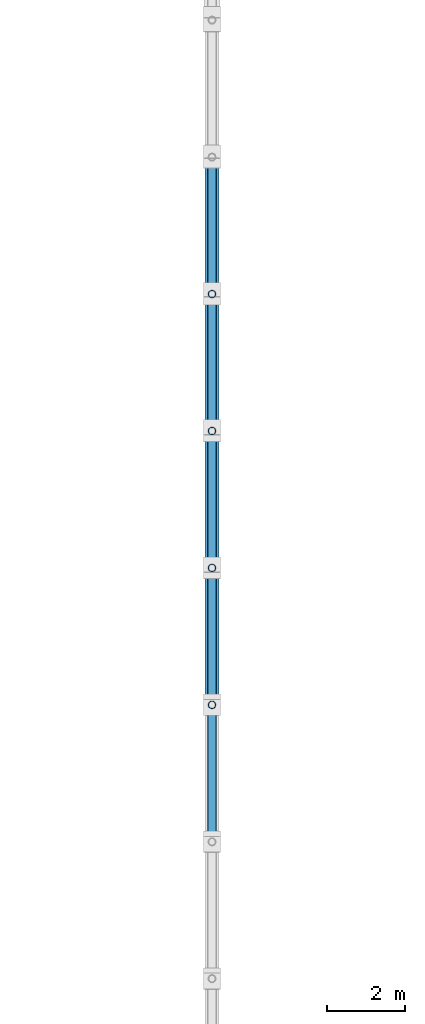
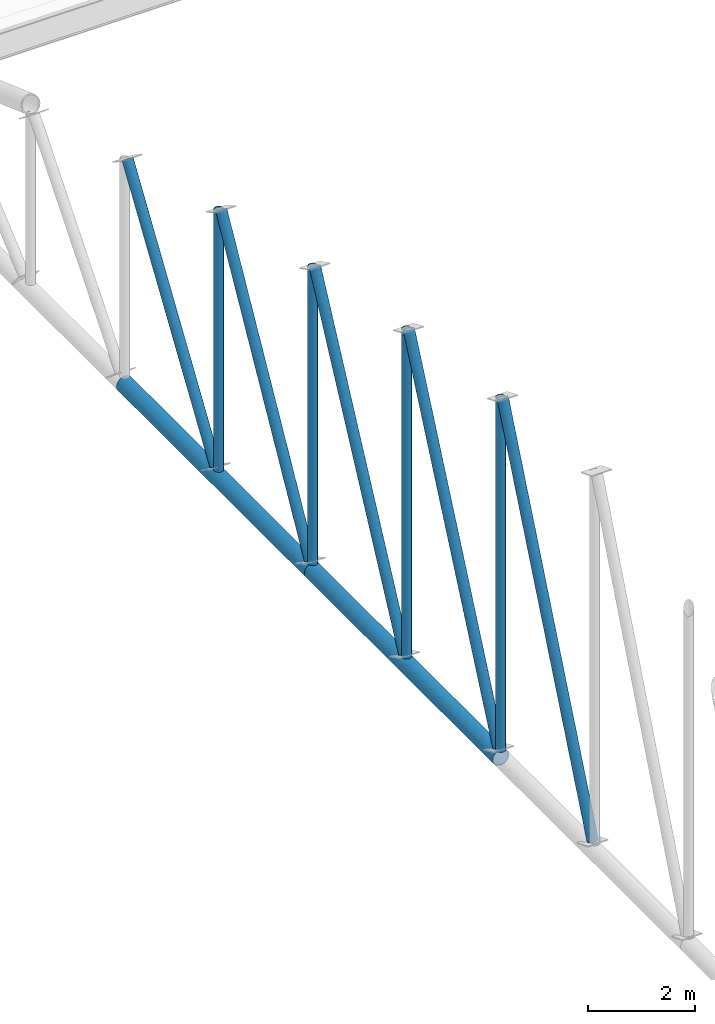
# One storey, part 66 of 196: 11 members.
"""IFC4 building model written with IfcOpenShell, lengths in metres."""

import ifcopenshell
import ifcopenshell.guid

model = None  # the IFC model being written
_history = None  # IfcOwnerHistory: only IFC2X3 demands one
_inside = {}  # id of a spatial element -> (the spatial element, [elements in it])
_under = {}  # id of a project, library or spatial element -> (it, [spatial elements below it])
_declared = {}  # id of a project -> (the project, [libraries it declares])
_typed = {}  # id of a type object -> (the type object, [elements of that type])
_made_of = {}  # id of a material, layer set ... -> (it, [elements and type objects made of it])


def new_model(schema):
    """Start an empty IFC model of exactly this schema.

    Asked for "IFC4X3", IfcOpenShell would pick the latest addendum, in which some entities
    have other attributes; the version numbers below select the first issue.
    IFC2X3 requires an IfcOwnerHistory on every rooted entity: one is made here for all.
    """
    global model, _history
    if schema == "IFC4X3":
        model = ifcopenshell.file(schema_version=(4, 3, 0, 0))
    else:
        model = ifcopenshell.file(schema=schema)
    _inside.clear()
    _under.clear()
    _declared.clear()
    _typed.clear()
    _made_of.clear()
    _history = None
    if model.schema == "IFC2X3":
        org = make("IfcOrganization", Name="unknown")
        user = make(
            "IfcPersonAndOrganization",
            ThePerson=make("IfcPerson", FamilyName="unknown"),
            TheOrganization=org,
        )
        app = make(
            "IfcApplication",
            ApplicationDeveloper=org,
            Version="unknown",
            ApplicationFullName="unknown",
            ApplicationIdentifier="unknown",
        )
        _history = make(
            "IfcOwnerHistory",
            OwningUser=user,
            OwningApplication=app,
            ChangeAction="ADDED",
            CreationDate=0,
        )
    return model


def make(cls, **values):
    """One entity of the class cls with the attributes given. An attribute that is None is left unset."""
    return model.create_entity(
        cls, **{name: value for name, value in values.items() if value is not None}
    )


def rooted(cls, **values):
    """An entity with a GlobalId (a new one), such as an element, a storey or a relation."""
    return make(cls, GlobalId=ifcopenshell.guid.new(), OwnerHistory=_history, **values)


def si_unit(unit_type, name, prefix=None):
    """IfcSIUnit, for example si_unit("LENGTHUNIT", "METRE", prefix="MILLI")."""
    return make("IfcSIUnit", UnitType=unit_type, Prefix=prefix, Name=name)


def assignment(units):
    """IfcUnitAssignment: the units of a project."""
    return None if units is None else make("IfcUnitAssignment", Units=units)


def point(xyz):
    """IfcCartesianPoint."""
    return None if xyz is None else make("IfcCartesianPoint", Coordinates=xyz)


def direction(xyz):
    """IfcDirection."""
    return None if xyz is None else make("IfcDirection", DirectionRatios=xyz)


def frame(location, z_axis=None, x_axis=None):
    """IfcAxis2Placement3D, a coordinate frame: its origin and axes. An axis left out is left unset."""
    return make(
        "IfcAxis2Placement3D",
        Location=point(location),
        Axis=direction(z_axis),
        RefDirection=direction(x_axis),
    )


def frame_2d(location, x_axis=None):
    """IfcAxis2Placement2D, a coordinate frame in the plane: its origin and x axis."""
    return make(
        "IfcAxis2Placement2D", Location=point(location), RefDirection=direction(x_axis)
    )


def origin():
    """The frame at (0, 0, 0) with its axes left unset."""
    return frame((0.0, 0.0, 0.0))


def origin_2d():
    """The frame at (0, 0) in the plane with its x axis left unset."""
    return frame_2d((0.0, 0.0))


def place(relative_to, where):
    """IfcLocalPlacement: puts the frame where relative to a parent placement (None: the world)."""
    return make(
        "IfcLocalPlacement", PlacementRelTo=relative_to, RelativePlacement=where
    )


def context(
    kind, dimensions, precision=None, world=None, true_north=None, identifier=None
):
    """IfcGeometricRepresentationContext, for example the 3D "Model" context."""
    return make(
        "IfcGeometricRepresentationContext",
        ContextIdentifier=identifier,
        ContextType=kind,
        CoordinateSpaceDimension=dimensions,
        Precision=precision,
        WorldCoordinateSystem=world,
        TrueNorth=true_north,
    )


def subcontext(parent, identifier, kind, view, scale=None):
    """IfcGeometricRepresentationSubContext, for example "Body" below "Model"."""
    return make(
        "IfcGeometricRepresentationSubContext",
        ContextIdentifier=identifier,
        ContextType=kind,
        ParentContext=parent,
        TargetScale=scale,
        TargetView=view,
    )


def project(units=None, contexts=None):
    """IfcProject with its units and contexts."""
    return rooted(
        "IfcProject",
        Name="project",
        RepresentationContexts=contexts,
        UnitsInContext=assignment(units),
    )


def spatial(cls, under=None, at=None, **own):
    """A site, building, storey or space (cls), placed at a placement, below another one or the project."""
    s = rooted(cls, ObjectPlacement=at, **own)
    if under is not None:
        _under.setdefault(under.id(), (under, []))[1].append(s)
    return s


def profile(cls, at=None, kind="AREA", **sizes):
    """A parametric profile (cls). Its sizes go by their IFC names, for example OverallWidth=200.0."""
    return make(cls, ProfileType=kind, Position=at, **sizes)


def hollow_circle(**sizes):
    """IfcCircleHollowProfileDef."""
    return profile("IfcCircleHollowProfileDef", **sizes)


def extrude(swept, where, along, depth):
    """IfcExtrudedAreaSolid: the profile swept, set in the frame where, extruded along a direction by depth."""
    return make(
        "IfcExtrudedAreaSolid",
        SweptArea=swept,
        Position=where,
        ExtrudedDirection=direction(along),
        Depth=depth,
    )


def shape(context_of_items, identifier, shape_type, items):
    """IfcShapeRepresentation: the items that make up one representation, for example the "Body"."""
    return make(
        "IfcShapeRepresentation",
        ContextOfItems=context_of_items,
        RepresentationIdentifier=identifier,
        RepresentationType=shape_type,
        Items=items,
    )


def material(Name=None, Category=None):
    """IfcMaterial."""
    return make("IfcMaterial", Name=Name, Category=Category)


def material_profile(
    of_material, cross_section, Name=None, Category=None, Priority=None
):
    """IfcMaterialProfile: a cross section and its material."""
    return make(
        "IfcMaterialProfile",
        Name=Name,
        Material=of_material,
        Profile=cross_section,
        Priority=Priority,
        Category=Category,
    )


def profile_set(profiles, Name=None, composite=None):
    """IfcMaterialProfileSet."""
    return make(
        "IfcMaterialProfileSet",
        Name=Name,
        MaterialProfiles=profiles,
        CompositeProfile=composite,
    )


def made_of(thing, what):
    """Note that an element or type object is made of a material, layer set ...; save() writes the relation."""
    if what is not None:
        _made_of.setdefault(what.id(), (what, []))[1].append(thing)
    return thing


def type_object(cls, material=None, **own):
    """A type object (cls), such as IfcWallType, which elements share."""
    return made_of(rooted(cls, **own), material)


def element(
    cls,
    number,
    at=None,
    inside=None,
    cuts=None,
    type_object=None,
    material=None,
    context=None,
    identifier="Body",
    shape_type=None,
    held_by="IfcProductDefinitionShape",
    body=None,
    shapes=None,
    **own,
):
    """One element of the class cls, such as IfcWall. Its Tag is "e" and its number.

    at: its placement. inside: the storey or other place that contains it. cuts: it is an
    opening in that element (IfcRelVoidsElement). A single representation is given by context,
    identifier, shape_type and body (its items); several are given by shapes. held_by: the class
    of the entity that holds the representations. save() writes the other relations.
    """
    e = rooted(cls, Tag="e%d" % number, ObjectPlacement=at, **own)
    if body is not None:
        shapes = [shape(context, identifier, shape_type, body)]
    if shapes is not None:
        e.Representation = make(held_by, Representations=shapes)
    if inside is not None:
        _inside.setdefault(inside.id(), (inside, []))[1].append(e)
    if cuts is not None:
        rooted(
            "IfcRelVoidsElement", RelatingBuildingElement=cuts, RelatedOpeningElement=e
        )
    if type_object is not None:
        _typed.setdefault(type_object.id(), (type_object, []))[1].append(e)
    return made_of(e, material)


def aggregate(whole, parts):
    """IfcRelAggregates: a whole, such as a stair, and the parts it consists of."""
    return rooted("IfcRelAggregates", RelatingObject=whole, RelatedObjects=parts)


def save(model, path):
    """Write the relations noted so far, then the file.

    IfcRelAggregates (storeys below a building ...), IfcRelContainedInSpatialStructure (elements
    in a storey), IfcRelDefinesByType, IfcRelAssociatesMaterial and IfcRelDeclares: one each for
    every whole, place, type object, material and project.
    """
    for whole, parts in _under.values():
        aggregate(whole, parts)
    for where, things in _inside.values():
        rooted(
            "IfcRelContainedInSpatialStructure",
            RelatedElements=things,
            RelatingStructure=where,
        )
    for kind, things in _typed.values():
        rooted("IfcRelDefinesByType", RelatedObjects=things, RelatingType=kind)
    for what, things in _made_of.values():
        rooted("IfcRelAssociatesMaterial", RelatedObjects=things, RelatingMaterial=what)
    for by, libraries in _declared.values():
        rooted("IfcRelDeclares", RelatingContext=by, RelatedDefinitions=libraries)
    model.write(path)


model = new_model("IFC4")

# Units and contexts
model_context = context("Model", 3, precision=1e-05, world=origin(), true_north=direction((0.0, 1.0)))
body_context = subcontext(model_context, "Body", "Model", "MODEL_VIEW")
ifc_project = project(units=[si_unit("LENGTHUNIT", "METRE"), si_unit("AREAUNIT", "SQUARE_METRE"), si_unit("VOLUMEUNIT", "CUBIC_METRE"), si_unit("PLANEANGLEUNIT", "RADIAN"), si_unit("MASSUNIT", "GRAM", prefix="KILO")], contexts=[model_context])

# Site, building, storey
site_placement = place(None, origin())
site = spatial("IfcSite", under=ifc_project, at=site_placement, CompositionType="ELEMENT")
building_placement = place(site_placement, origin())
building = spatial("IfcBuilding", under=site, at=building_placement, Name="Okhra Congress Centre", CompositionType="ELEMENT")
storey_placement = place(building_placement, frame((0.0, 0.0, 12.0)))
storey = spatial("IfcBuildingStorey", under=building, at=storey_placement, Name="L02", CompositionType="ELEMENT", Elevation=12.0)

# Members
ifc_material = material(Name="Steel S355J2H", Category="steel")
ifc_material_profile_1 = material_profile(ifc_material, hollow_circle(Radius=0.096923828125, WallThickness=0.008056640625, at=origin_2d()), Name="CHS 193.7x8.0")
ifc_profile_set_1 = profile_set([ifc_material_profile_1], Name="Steel S355J2H")
member_type_1 = type_object("IfcMemberType", Name="CHS 193.7x8.0", PredefinedType="POST", material=ifc_profile_set_1)
member_1_placement = place(storey_placement, frame((64.0, 188.0, 1.577880859375), z_axis=(0.0, 0.0, 1.0), x_axis=(1.0, 0.0, 0.0)))
element("IfcMember", 1, at=member_1_placement, inside=storey, type_object=member_type_1, Name="EH.MEM.L02.T3-VER-16", PredefinedType="POST", context=body_context, shape_type="SweptSolid", body=[
    extrude(hollow_circle(Radius=0.096923828125, WallThickness=0.008056640625, at=origin_2d()), origin(), (0.0, 0.0, 1.0), 8.01708984375),
])
member_2_placement = place(storey_placement, frame((64.0, 191.5, 1.577880859375), z_axis=(0.0, 0.0, 1.0), x_axis=(1.0, 0.0, 0.0)))
element("IfcMember", 2, at=member_2_placement, inside=storey, type_object=member_type_1, Name="EH.MEM.L02.T3-VER-17", PredefinedType="POST", context=body_context, shape_type="SweptSolid", body=[
    extrude(hollow_circle(Radius=0.096923828125, WallThickness=0.008056640625, at=origin_2d()), origin(), (0.0, 0.0, 1.0), 7.448974609375),
])
member_3_placement = place(storey_placement, frame((64.0, 195.0, 1.577880859375), z_axis=(0.0, 0.0, 1.0), x_axis=(1.0, 0.0, 0.0)))
element("IfcMember", 3, at=member_3_placement, inside=storey, type_object=member_type_1, Name="EH.MEM.L02.T3-VER-18", PredefinedType="POST", context=body_context, shape_type="SweptSolid", body=[
    extrude(hollow_circle(Radius=0.096923828125, WallThickness=0.008056640625, at=origin_2d()), origin(), (0.0, 0.0, 1.0), 6.750244140625),
])
member_4_placement = place(storey_placement, frame((64.0, 198.5, 1.577880859375), z_axis=(0.0, 0.0, 1.0), x_axis=(1.0, 0.0, 0.0)))
element("IfcMember", 4, at=member_4_placement, inside=storey, type_object=member_type_1, Name="EH.MEM.L02.T3-VER-19", PredefinedType="POST", context=body_context, shape_type="SweptSolid", body=[
    extrude(hollow_circle(Radius=0.096923828125, WallThickness=0.008056640625, at=origin_2d()), origin(), (0.0, 0.0, 1.0), 5.917724609375),
])
ifc_material_profile_2 = material_profile(ifc_material, hollow_circle(Radius=0.109619140625, WallThickness=0.010009765625, at=origin_2d()), Name="CHS 219.1x10.0")
ifc_profile_set_2 = profile_set([ifc_material_profile_2], Name="Steel S355J2H")
member_type_2 = type_object("IfcMemberType", Name="CHS 219.1x10.0", PredefinedType="BRACE", material=ifc_profile_set_2)
member_5_placement = place(storey_placement, frame((64.0, 187.926513671875, 9.6240234375), z_axis=(0.0, -0.384613395842, -0.92307775173), x_axis=(1.0, 0.0, 0.0)))
element("IfcMember", 5, at=member_5_placement, inside=storey, type_object=member_type_2, Name="EH.MEM.L02.T3-DIA-15", PredefinedType="BRACE", context=body_context, shape_type="SweptSolid", body=[
    extrude(hollow_circle(Radius=0.109619140625, WallThickness=0.010009765625, at=origin_2d()), origin(), (0.0, 0.0, 1.0), 8.716552734375),
])
member_6_placement = place(storey_placement, frame((64.0, 191.42236328125, 9.0595703125), z_axis=(0.0, -0.407953800593, -0.913002572057), x_axis=(1.0, 0.0, 0.0)))
element("IfcMember", 6, at=member_6_placement, inside=storey, type_object=member_type_2, Name="EH.MEM.L02.T3-DIA-16", PredefinedType="BRACE", context=body_context, shape_type="SweptSolid", body=[
    extrude(hollow_circle(Radius=0.109619140625, WallThickness=0.010009765625, at=origin_2d()), origin(), (0.0, 0.0, 1.0), 8.194580078125),
])
member_7_placement = place(storey_placement, frame((64.0, 194.916259765625, 8.365234375), z_axis=(0.0, -0.440367038805, -0.897817838503), x_axis=(1.0, 0.0, 0.0)))
element("IfcMember", 7, at=member_7_placement, inside=storey, type_object=member_type_2, Name="EH.MEM.L02.T3-DIA-17", PredefinedType="BRACE", context=body_context, shape_type="SweptSolid", body=[
    extrude(hollow_circle(Radius=0.109619140625, WallThickness=0.010009765625, at=origin_2d()), origin(), (0.0, 0.0, 1.0), 7.559814453125),
])
member_8_placement = place(storey_placement, frame((64.0, 198.4072265625, 7.538330078125), z_axis=(0.0, -0.485332749729, -0.874329527147), x_axis=(1.0, 0.0, 0.0)))
element("IfcMember", 8, at=member_8_placement, inside=storey, type_object=member_type_2, Name="EH.MEM.L02.T3-DIA-18", PredefinedType="BRACE", context=body_context, shape_type="SweptSolid", body=[
    extrude(hollow_circle(Radius=0.109619140625, WallThickness=0.010009765625, at=origin_2d()), origin(), (0.0, 0.0, 1.0), 6.817138671875),
])
ifc_material_profile_3 = material_profile(ifc_material, hollow_circle(Radius=0.109619140625, WallThickness=0.012451171875, at=origin_2d()), Name="CHS 219.1x12.5")
ifc_profile_set_3 = profile_set([ifc_material_profile_3], Name="Steel S355J2H")
member_type_3 = type_object("IfcMemberType", Name="CHS 219.1x12.5", PredefinedType="BRACE", material=ifc_profile_set_3)
member_9_placement = place(storey_placement, frame((64.0, 201.89404296875, 6.576416015625), z_axis=(0.0, -0.548312008951, -0.836273843211), x_axis=(1.0, 0.0, 0.0)))
element("IfcMember", 9, at=member_9_placement, inside=storey, type_object=member_type_3, Name="EH.MEM.L02.T3-DIA-19", PredefinedType="BRACE", context=body_context, shape_type="SweptSolid", body=[
    extrude(hollow_circle(Radius=0.109619140625, WallThickness=0.012451171875, at=origin_2d()), origin(), (0.0, 0.0, 1.0), 5.97705078125),
])
ifc_material_profile_4 = material_profile(ifc_material, hollow_circle(Radius=0.177734375, WallThickness=0.01611328125, at=origin_2d()), Name="CHS 355.6x16.0")
ifc_profile_set_4 = profile_set([ifc_material_profile_4], Name="Steel S355J2H")
member_type_4 = type_object("IfcMemberType", Name="CHS 355.6x16.0", PredefinedType="CHORD", material=ifc_profile_set_4)
for number, where, z_axis, x_axis, name in (
    (10, (64.0, 188.0, 1.39990234375), (0.0, 1.0, 0.0), (-1.0, 0.0, 0.0), "EH.MEM.L02.T3-BOT-09"),
    (11, (64.0, 195.0, 1.39990234375), (0.0, 1.0, 0.0), (-1.0, 0.0, 0.0), "EH.MEM.L02.T3-BOT-10"),
):
    element("IfcMember", number, at=place(storey_placement, frame(where, z_axis=z_axis, x_axis=x_axis)), inside=storey, type_object=member_type_4, Name=name, PredefinedType="CHORD", context=body_context, shape_type="SweptSolid", body=[
        extrude(hollow_circle(Radius=0.177734375, WallThickness=0.01611328125, at=origin_2d()), origin(), (0.0, 0.0, 1.0), 7.0),
    ])

save(model, "model.ifc")
